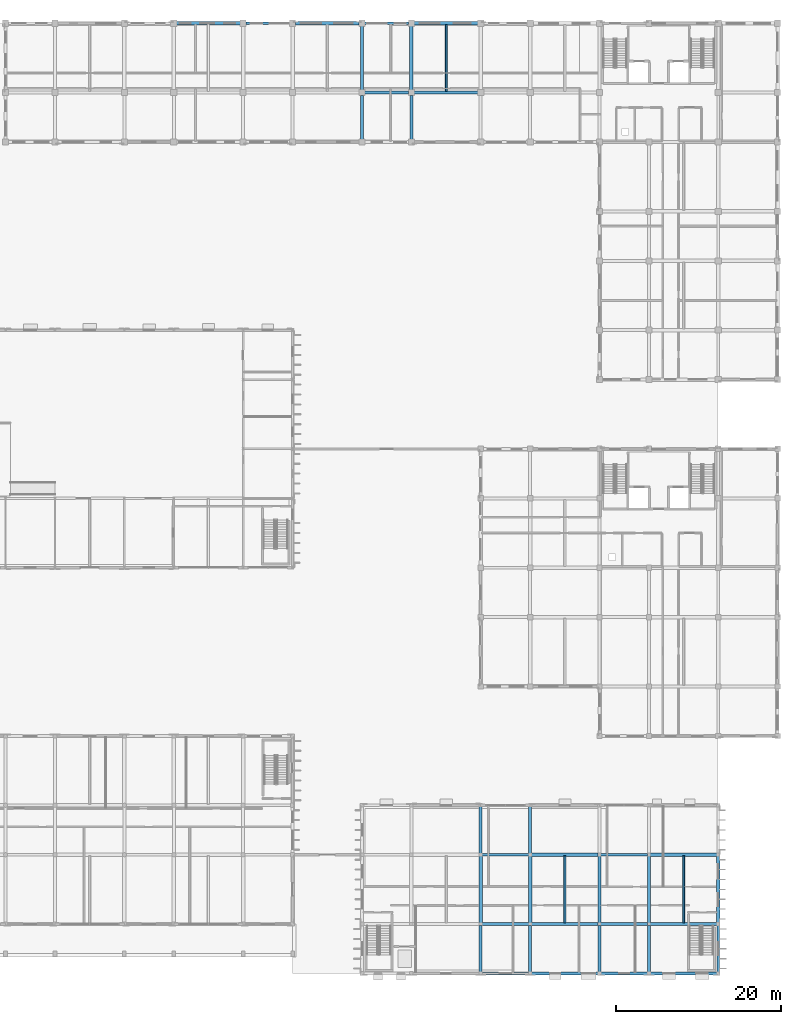
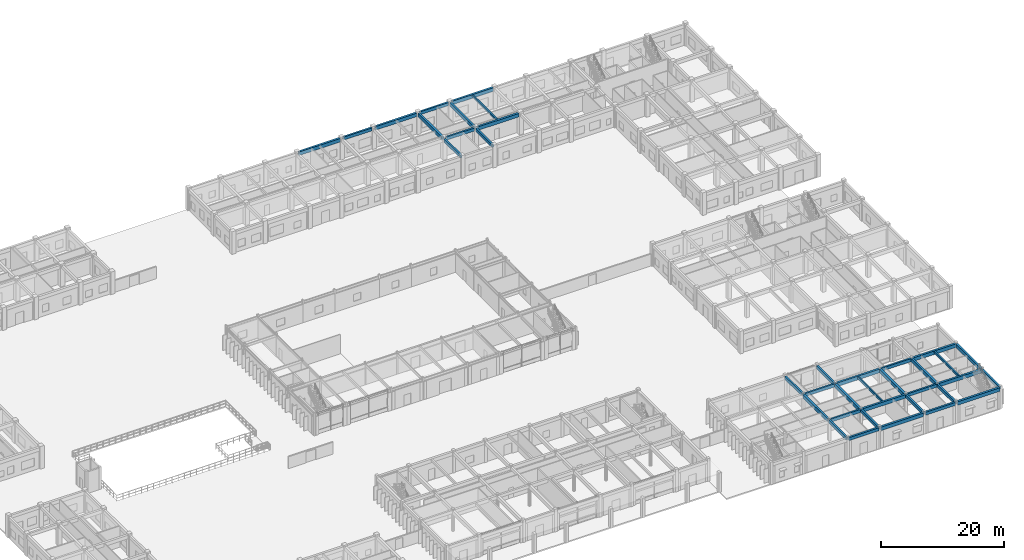
# One storey, part 20 of 67: 38 beams.
"""IFC4 building model written with IfcOpenShell, lengths in metres."""

import ifcopenshell
import ifcopenshell.guid

model = None  # the IFC model being written
_history = None  # IfcOwnerHistory: only IFC2X3 demands one
_inside = {}  # id of a spatial element -> (the spatial element, [elements in it])
_under = {}  # id of a project, library or spatial element -> (it, [spatial elements below it])
_declared = {}  # id of a project -> (the project, [libraries it declares])
_typed = {}  # id of a type object -> (the type object, [elements of that type])
_made_of = {}  # id of a material, layer set ... -> (it, [elements and type objects made of it])


def new_model(schema):
    """Start an empty IFC model of exactly this schema.

    Asked for "IFC4X3", IfcOpenShell would pick the latest addendum, in which some entities
    have other attributes; the version numbers below select the first issue.
    IFC2X3 requires an IfcOwnerHistory on every rooted entity: one is made here for all.
    """
    global model, _history
    if schema == "IFC4X3":
        model = ifcopenshell.file(schema_version=(4, 3, 0, 0))
    else:
        model = ifcopenshell.file(schema=schema)
    _inside.clear()
    _under.clear()
    _declared.clear()
    _typed.clear()
    _made_of.clear()
    _history = None
    if model.schema == "IFC2X3":
        org = make("IfcOrganization", Name="unknown")
        user = make(
            "IfcPersonAndOrganization",
            ThePerson=make("IfcPerson", FamilyName="unknown"),
            TheOrganization=org,
        )
        app = make(
            "IfcApplication",
            ApplicationDeveloper=org,
            Version="unknown",
            ApplicationFullName="unknown",
            ApplicationIdentifier="unknown",
        )
        _history = make(
            "IfcOwnerHistory",
            OwningUser=user,
            OwningApplication=app,
            ChangeAction="ADDED",
            CreationDate=0,
        )
    return model


def make(cls, **values):
    """One entity of the class cls with the attributes given. An attribute that is None is left unset."""
    return model.create_entity(
        cls, **{name: value for name, value in values.items() if value is not None}
    )


def rooted(cls, **values):
    """An entity with a GlobalId (a new one), such as an element, a storey or a relation."""
    return make(cls, GlobalId=ifcopenshell.guid.new(), OwnerHistory=_history, **values)


def si_unit(unit_type, name, prefix=None):
    """IfcSIUnit, for example si_unit("LENGTHUNIT", "METRE", prefix="MILLI")."""
    return make("IfcSIUnit", UnitType=unit_type, Prefix=prefix, Name=name)


def assignment(units):
    """IfcUnitAssignment: the units of a project."""
    return None if units is None else make("IfcUnitAssignment", Units=units)


def point(xyz):
    """IfcCartesianPoint."""
    return None if xyz is None else make("IfcCartesianPoint", Coordinates=xyz)


def direction(xyz):
    """IfcDirection."""
    return None if xyz is None else make("IfcDirection", DirectionRatios=xyz)


def frame(location, z_axis=None, x_axis=None):
    """IfcAxis2Placement3D, a coordinate frame: its origin and axes. An axis left out is left unset."""
    return make(
        "IfcAxis2Placement3D",
        Location=point(location),
        Axis=direction(z_axis),
        RefDirection=direction(x_axis),
    )


def frame_2d(location, x_axis=None):
    """IfcAxis2Placement2D, a coordinate frame in the plane: its origin and x axis."""
    return make(
        "IfcAxis2Placement2D", Location=point(location), RefDirection=direction(x_axis)
    )


def origin():
    """The frame at (0, 0, 0) with its axes left unset."""
    return frame((0.0, 0.0, 0.0))


def origin_2d():
    """The frame at (0, 0) in the plane with its x axis left unset."""
    return frame_2d((0.0, 0.0))


def place(relative_to, where):
    """IfcLocalPlacement: puts the frame where relative to a parent placement (None: the world)."""
    return make(
        "IfcLocalPlacement", PlacementRelTo=relative_to, RelativePlacement=where
    )


def context(
    kind, dimensions, precision=None, world=None, true_north=None, identifier=None
):
    """IfcGeometricRepresentationContext, for example the 3D "Model" context."""
    return make(
        "IfcGeometricRepresentationContext",
        ContextIdentifier=identifier,
        ContextType=kind,
        CoordinateSpaceDimension=dimensions,
        Precision=precision,
        WorldCoordinateSystem=world,
        TrueNorth=true_north,
    )


def subcontext(parent, identifier, kind, view, scale=None):
    """IfcGeometricRepresentationSubContext, for example "Body" below "Model"."""
    return make(
        "IfcGeometricRepresentationSubContext",
        ContextIdentifier=identifier,
        ContextType=kind,
        ParentContext=parent,
        TargetScale=scale,
        TargetView=view,
    )


def project(units=None, contexts=None):
    """IfcProject with its units and contexts."""
    return rooted(
        "IfcProject",
        Name="project",
        RepresentationContexts=contexts,
        UnitsInContext=assignment(units),
    )


def spatial(cls, under=None, at=None, **own):
    """A site, building, storey or space (cls), placed at a placement, below another one or the project."""
    s = rooted(cls, ObjectPlacement=at, **own)
    if under is not None:
        _under.setdefault(under.id(), (under, []))[1].append(s)
    return s


def profile(cls, at=None, kind="AREA", **sizes):
    """A parametric profile (cls). Its sizes go by their IFC names, for example OverallWidth=200.0."""
    return make(cls, ProfileType=kind, Position=at, **sizes)


def rectangle(**sizes):
    """IfcRectangleProfileDef."""
    return profile("IfcRectangleProfileDef", **sizes)


def extrude(swept, where, along, depth):
    """IfcExtrudedAreaSolid: the profile swept, set in the frame where, extruded along a direction by depth."""
    return make(
        "IfcExtrudedAreaSolid",
        SweptArea=swept,
        Position=where,
        ExtrudedDirection=direction(along),
        Depth=depth,
    )


def shape(context_of_items, identifier, shape_type, items):
    """IfcShapeRepresentation: the items that make up one representation, for example the "Body"."""
    return make(
        "IfcShapeRepresentation",
        ContextOfItems=context_of_items,
        RepresentationIdentifier=identifier,
        RepresentationType=shape_type,
        Items=items,
    )


def material(Name=None, Category=None):
    """IfcMaterial."""
    return make("IfcMaterial", Name=Name, Category=Category)


def material_profile(
    of_material, cross_section, Name=None, Category=None, Priority=None
):
    """IfcMaterialProfile: a cross section and its material."""
    return make(
        "IfcMaterialProfile",
        Name=Name,
        Material=of_material,
        Profile=cross_section,
        Priority=Priority,
        Category=Category,
    )


def profile_set(profiles, Name=None, composite=None):
    """IfcMaterialProfileSet."""
    return make(
        "IfcMaterialProfileSet",
        Name=Name,
        MaterialProfiles=profiles,
        CompositeProfile=composite,
    )


def made_of(thing, what):
    """Note that an element or type object is made of a material, layer set ...; save() writes the relation."""
    if what is not None:
        _made_of.setdefault(what.id(), (what, []))[1].append(thing)
    return thing


def type_object(cls, material=None, **own):
    """A type object (cls), such as IfcWallType, which elements share."""
    return made_of(rooted(cls, **own), material)


def element(
    cls,
    number,
    at=None,
    inside=None,
    cuts=None,
    type_object=None,
    material=None,
    context=None,
    identifier="Body",
    shape_type=None,
    held_by="IfcProductDefinitionShape",
    body=None,
    shapes=None,
    **own,
):
    """One element of the class cls, such as IfcWall. Its Tag is "e" and its number.

    at: its placement. inside: the storey or other place that contains it. cuts: it is an
    opening in that element (IfcRelVoidsElement). A single representation is given by context,
    identifier, shape_type and body (its items); several are given by shapes. held_by: the class
    of the entity that holds the representations. save() writes the other relations.
    """
    e = rooted(cls, Tag="e%d" % number, ObjectPlacement=at, **own)
    if body is not None:
        shapes = [shape(context, identifier, shape_type, body)]
    if shapes is not None:
        e.Representation = make(held_by, Representations=shapes)
    if inside is not None:
        _inside.setdefault(inside.id(), (inside, []))[1].append(e)
    if cuts is not None:
        rooted(
            "IfcRelVoidsElement", RelatingBuildingElement=cuts, RelatedOpeningElement=e
        )
    if type_object is not None:
        _typed.setdefault(type_object.id(), (type_object, []))[1].append(e)
    return made_of(e, material)


def aggregate(whole, parts):
    """IfcRelAggregates: a whole, such as a stair, and the parts it consists of."""
    return rooted("IfcRelAggregates", RelatingObject=whole, RelatedObjects=parts)


def save(model, path):
    """Write the relations noted so far, then the file.

    IfcRelAggregates (storeys below a building ...), IfcRelContainedInSpatialStructure (elements
    in a storey), IfcRelDefinesByType, IfcRelAssociatesMaterial and IfcRelDeclares: one each for
    every whole, place, type object, material and project.
    """
    for whole, parts in _under.values():
        aggregate(whole, parts)
    for where, things in _inside.values():
        rooted(
            "IfcRelContainedInSpatialStructure",
            RelatedElements=things,
            RelatingStructure=where,
        )
    for kind, things in _typed.values():
        rooted("IfcRelDefinesByType", RelatedObjects=things, RelatingType=kind)
    for what, things in _made_of.values():
        rooted("IfcRelAssociatesMaterial", RelatedObjects=things, RelatingMaterial=what)
    for by, libraries in _declared.values():
        rooted("IfcRelDeclares", RelatingContext=by, RelatedDefinitions=libraries)
    model.write(path)


model = new_model("IFC4")

# Units and contexts
model_context = context("Model", 3, precision=1e-05, world=origin(), true_north=direction((0.0, 1.0)))
body_context = subcontext(model_context, "Body", "Model", "MODEL_VIEW")
ifc_project = project(units=[si_unit("LENGTHUNIT", "METRE"), si_unit("AREAUNIT", "SQUARE_METRE"), si_unit("VOLUMEUNIT", "CUBIC_METRE"), si_unit("PLANEANGLEUNIT", "RADIAN"), si_unit("MASSUNIT", "GRAM", prefix="KILO"), si_unit("THERMODYNAMICTEMPERATUREUNIT", "KELVIN")], contexts=[model_context])

# Site, building, storey
site_placement = place(None, origin())
site = spatial("IfcSite", under=ifc_project, at=site_placement, CompositionType="ELEMENT")
building_placement = place(site_placement, origin())
building = spatial("IfcBuilding", under=site, at=building_placement, Name="Thalorik Housing Commons", CompositionType="ELEMENT")
storey_placement = place(building_placement, origin())
storey = spatial("IfcBuildingStorey", under=building, at=storey_placement, Name="L00", CompositionType="ELEMENT", Elevation=0.0)

# Beams
ifc_material = material(Name="Precast concrete C40/50", Category="concrete")
ifc_material_profile_1 = material_profile(ifc_material, rectangle(XDim=0.35009765625, YDim=0.60009765625, at=origin_2d()), Name="PC 350x600", Category="concrete")
ifc_profile_set_1 = profile_set([ifc_material_profile_1], Name="Precast concrete C40/50")
beam_type_1 = type_object("IfcBeamType", Name="STR-BM-PC350x600", PredefinedType="BEAM", material=ifc_profile_set_1)
beam_1_placement = place(storey_placement, frame((138.175048828125, 8.39990234375, 3.89990234375), z_axis=(1.0, 0.0, 0.0), x_axis=(0.0, 1.0, 0.0)))
element("IfcBeam", 1, at=beam_1_placement, inside=storey, type_object=beam_type_1, Name="L00 Beam B-600", PredefinedType="BEAM", context=body_context, shape_type="SweptSolid", body=[
    extrude(rectangle(XDim=0.35009765625, YDim=0.60009765625, at=origin_2d()), origin(), (0.0, 0.0, 1.0), 5.64990234375),
])
beam_2_placement = place(storey_placement, frame((152.574951171875, 8.39990234375, 3.89990234375), z_axis=(1.0, 0.0, 0.0), x_axis=(0.0, 1.0, 0.0)))
element("IfcBeam", 2, at=beam_2_placement, inside=storey, type_object=beam_type_1, Name="L00 Beam B-600", PredefinedType="BEAM", context=body_context, shape_type="SweptSolid", body=[
    extrude(rectangle(XDim=0.35009765625, YDim=0.60009765625, at=origin_2d()), origin(), (0.0, 0.0, 1.0), 5.650146484375),
])
beam_3_placement = place(storey_placement, frame((138.14990234375, 14.39990234375, 3.89990234375), z_axis=(1.0, 0.0, 0.0), x_axis=(0.0, 1.0, 0.0)))
element("IfcBeam", 3, at=beam_3_placement, inside=storey, type_object=beam_type_1, Name="L00 Beam B-600", PredefinedType="BEAM", context=body_context, shape_type="SweptSolid", body=[
    extrude(rectangle(XDim=0.35009765625, YDim=0.60009765625, at=origin_2d()), origin(), (0.0, 0.0, 1.0), 5.7001953125),
])
beam_4_placement = place(storey_placement, frame((152.550048828125, 14.39990234375, 3.89990234375), z_axis=(1.0, 0.0, 0.0), x_axis=(0.0, 1.0, 0.0)))
element("IfcBeam", 4, at=beam_4_placement, inside=storey, type_object=beam_type_1, Name="L00 Beam B-600", PredefinedType="BEAM", context=body_context, shape_type="SweptSolid", body=[
    extrude(rectangle(XDim=0.35009765625, YDim=0.60009765625, at=origin_2d()), origin(), (0.0, 0.0, 1.0), 5.699951171875),
])
beam_5_placement = place(storey_placement, frame((138.14990234375, 22.800048828125, 3.89990234375), z_axis=(1.0, 0.0, 0.0), x_axis=(0.0, 1.0, 0.0)))
element("IfcBeam", 5, at=beam_5_placement, inside=storey, type_object=beam_type_1, Name="L00 Beam B-600", PredefinedType="BEAM", context=body_context, shape_type="SweptSolid", body=[
    extrude(rectangle(XDim=0.35009765625, YDim=0.60009765625, at=origin_2d()), origin(), (0.0, 0.0, 1.0), 5.7001953125),
])
beam_6_placement = place(storey_placement, frame((152.550048828125, 22.800048828125, 3.89990234375), z_axis=(1.0, 0.0, 0.0), x_axis=(0.0, 1.0, 0.0)))
element("IfcBeam", 6, at=beam_6_placement, inside=storey, type_object=beam_type_1, Name="L00 Beam B-600", PredefinedType="BEAM", context=body_context, shape_type="SweptSolid", body=[
    extrude(rectangle(XDim=0.35009765625, YDim=0.60009765625, at=origin_2d()), origin(), (0.0, 0.0, 1.0), 5.699951171875),
])
beam_7_placement = place(storey_placement, frame((123.925048828125, 115.199951171875, 3.89990234375), z_axis=(1.0, 0.0, 0.0), x_axis=(0.0, 1.0, 0.0)))
element("IfcBeam", 7, at=beam_7_placement, inside=storey, type_object=beam_type_1, Name="L00 Beam B-600", PredefinedType="BEAM", context=body_context, shape_type="SweptSolid", body=[
    extrude(rectangle(XDim=0.35009765625, YDim=0.60009765625, at=origin_2d()), origin(), (0.0, 0.0, 1.0), 5.349853515625),
])
beam_8_placement = place(storey_placement, frame((109.52490234375, 123.60009765625, 3.89990234375), z_axis=(1.0, 0.0, 0.0), x_axis=(0.0, 1.0, 0.0)))
element("IfcBeam", 8, at=beam_8_placement, inside=storey, type_object=beam_type_1, Name="L00 Beam B-600", PredefinedType="BEAM", context=body_context, shape_type="SweptSolid", body=[
    extrude(rectangle(XDim=0.35009765625, YDim=0.60009765625, at=origin_2d()), origin(), (0.0, 0.0, 1.0), 5.35009765625),
])
beam_9_placement = place(storey_placement, frame((123.925048828125, 123.60009765625, 3.89990234375), z_axis=(1.0, 0.0, 0.0), x_axis=(0.0, 1.0, 0.0)))
element("IfcBeam", 9, at=beam_9_placement, inside=storey, type_object=beam_type_1, Name="L00 Beam B-600", PredefinedType="BEAM", context=body_context, shape_type="SweptSolid", body=[
    extrude(rectangle(XDim=0.35009765625, YDim=0.60009765625, at=origin_2d()), origin(), (0.0, 0.0, 1.0), 5.349853515625),
])
for number, where, z_axis, x_axis, name in (
    (10, (123.60009765625, 109.52490234375, 3.89990234375), (0.0, 1.0, 0.0), (-1.0, 0.0, 0.0), "L00 Beam B-600"),
    (11, (129.60009765625, 109.52490234375, 3.89990234375), (0.0, 1.0, 0.0), (-1.0, 0.0, 0.0), "L00 Beam B-600"),
):
    element("IfcBeam", number, at=place(storey_placement, frame(where, z_axis=z_axis, x_axis=x_axis)), inside=storey, type_object=beam_type_1, Name=name, PredefinedType="BEAM", context=body_context, shape_type="SweptSolid", body=[
        extrude(rectangle(XDim=0.35009765625, YDim=0.60009765625, at=origin_2d()), origin(), (0.0, 0.0, 1.0), 5.35009765625),
    ])
for number, where, z_axis, x_axis, name in (
    (12, (138.0, 8.574951171875, 3.89990234375), (0.0, 1.0, 0.0), (-1.0, 0.0, 0.0), "L00 Beam B-600"),
    (13, (138.0, 22.949951171875, 3.89990234375), (0.0, 1.0, 0.0), (-1.0, 0.0, 0.0), "L00 Beam B-600"),
    (14, (144.0, 8.574951171875, 3.89990234375), (0.0, 1.0, 0.0), (-1.0, 0.0, 0.0), "L00 Beam B-600"),
    (15, (144.0, 22.949951171875, 3.89990234375), (0.0, 1.0, 0.0), (-1.0, 0.0, 0.0), "L00 Beam B-600"),
    (16, (152.39990234375, 8.574951171875, 3.89990234375), (0.0, 1.0, 0.0), (-1.0, 0.0, 0.0), "L00 Beam B-600"),
    (17, (158.39990234375, 8.574951171875, 3.89990234375), (0.0, 1.0, 0.0), (-1.0, 0.0, 0.0), "L00 Beam B-600"),
):
    element("IfcBeam", number, at=place(storey_placement, frame(where, z_axis=z_axis, x_axis=x_axis)), inside=storey, type_object=beam_type_1, Name=name, PredefinedType="BEAM", context=body_context, shape_type="SweptSolid", body=[
        extrude(rectangle(XDim=0.35009765625, YDim=0.60009765625, at=origin_2d()), origin(), (0.0, 0.0, 1.0), 5.675048828125),
    ])
beam_10_placement = place(storey_placement, frame((166.800048828125, 8.574951171875, 3.89990234375), z_axis=(0.0, 1.0, 0.0), x_axis=(-1.0, 0.0, 0.0)))
element("IfcBeam", 18, at=beam_10_placement, inside=storey, type_object=beam_type_1, Name="L00 Beam B-600", PredefinedType="BEAM", context=body_context, shape_type="SweptSolid", body=[
    extrude(rectangle(XDim=0.35009765625, YDim=0.60009765625, at=origin_2d()), origin(), (0.0, 0.0, 1.0), 5.650146484375),
])
ifc_material_profile_2 = material_profile(ifc_material, rectangle(XDim=0.39990234375, YDim=0.699951171875, at=origin_2d()), Name="PC 400x700", Category="concrete")
ifc_profile_set_2 = profile_set([ifc_material_profile_2], Name="Precast concrete C40/50")
beam_type_2 = type_object("IfcBeamType", Name="STR-BM-PC400x700", PredefinedType="BEAM", material=ifc_profile_set_2)
for number, where, z_axis, x_axis, name in (
    (19, (144.175048828125, 8.39990234375, 3.85009765625), (1.0, 0.0, 0.0), (0.0, 1.0, 0.0), "L00 Beam B-700"),
    (20, (158.574951171875, 8.39990234375, 3.85009765625), (1.0, 0.0, 0.0), (0.0, 1.0, 0.0), "L00 Beam B-700"),
):
    element("IfcBeam", number, at=place(storey_placement, frame(where, z_axis=z_axis, x_axis=x_axis)), inside=storey, type_object=beam_type_2, Name=name, PredefinedType="BEAM", context=body_context, shape_type="SweptSolid", body=[
        extrude(rectangle(XDim=0.39990234375, YDim=0.699951171875, at=origin_2d()), origin(), (0.0, 0.0, 1.0), 8.050048828125),
    ])
beam_11_placement = place(storey_placement, frame((144.14990234375, 14.39990234375, 3.85009765625), z_axis=(1.0, 0.0, 0.0), x_axis=(0.0, 1.0, 0.0)))
element("IfcBeam", 21, at=beam_11_placement, inside=storey, type_object=beam_type_2, Name="L00 Beam B-700", PredefinedType="BEAM", context=body_context, shape_type="SweptSolid", body=[
    extrude(rectangle(XDim=0.39990234375, YDim=0.699951171875, at=origin_2d()), origin(), (0.0, 0.0, 1.0), 8.10009765625),
])
beam_12_placement = place(storey_placement, frame((158.550048828125, 14.39990234375, 3.85009765625), z_axis=(1.0, 0.0, 0.0), x_axis=(0.0, 1.0, 0.0)))
element("IfcBeam", 22, at=beam_12_placement, inside=storey, type_object=beam_type_2, Name="L00 Beam B-700", PredefinedType="BEAM", context=body_context, shape_type="SweptSolid", body=[
    extrude(rectangle(XDim=0.39990234375, YDim=0.699951171875, at=origin_2d()), origin(), (0.0, 0.0, 1.0), 8.074951171875),
])
beam_13_placement = place(storey_placement, frame((144.14990234375, 22.800048828125, 3.85009765625), z_axis=(1.0, 0.0, 0.0), x_axis=(0.0, 1.0, 0.0)))
element("IfcBeam", 23, at=beam_13_placement, inside=storey, type_object=beam_type_2, Name="L00 Beam B-700", PredefinedType="BEAM", context=body_context, shape_type="SweptSolid", body=[
    extrude(rectangle(XDim=0.39990234375, YDim=0.699951171875, at=origin_2d()), origin(), (0.0, 0.0, 1.0), 8.10009765625),
])
beam_14_placement = place(storey_placement, frame((158.550048828125, 22.800048828125, 3.85009765625), z_axis=(1.0, 0.0, 0.0), x_axis=(0.0, 1.0, 0.0)))
element("IfcBeam", 24, at=beam_14_placement, inside=storey, type_object=beam_type_2, Name="L00 Beam B-700", PredefinedType="BEAM", context=body_context, shape_type="SweptSolid", body=[
    extrude(rectangle(XDim=0.39990234375, YDim=0.699951171875, at=origin_2d()), origin(), (0.0, 0.0, 1.0), 8.074951171875),
])
for number, where, z_axis, x_axis, name in (
    (25, (129.925048828125, 115.199951171875, 3.85009765625), (1.0, 0.0, 0.0), (0.0, 1.0, 0.0), "L00 Beam B-700"),
    (26, (101.125, 123.60009765625, 3.85009765625), (1.0, 0.0, 0.0), (0.0, 1.0, 0.0), "L00 Beam B-700"),
    (27, (115.52490234375, 123.60009765625, 3.85009765625), (1.0, 0.0, 0.0), (0.0, 1.0, 0.0), "L00 Beam B-700"),
    (28, (129.925048828125, 123.60009765625, 3.85009765625), (1.0, 0.0, 0.0), (0.0, 1.0, 0.0), "L00 Beam B-700"),
    (29, (123.60009765625, 115.52490234375, 3.85009765625), (0.0, 1.0, 0.0), (-1.0, 0.0, 0.0), "L00 Beam B-700"),
    (30, (129.60009765625, 115.52490234375, 3.85009765625), (0.0, 1.0, 0.0), (-1.0, 0.0, 0.0), "L00 Beam B-700"),
):
    element("IfcBeam", number, at=place(storey_placement, frame(where, z_axis=z_axis, x_axis=x_axis)), inside=storey, type_object=beam_type_2, Name=name, PredefinedType="BEAM", context=body_context, shape_type="SweptSolid", body=[
        extrude(rectangle(XDim=0.39990234375, YDim=0.699951171875, at=origin_2d()), origin(), (0.0, 0.0, 1.0), 7.75),
    ])
for number, where, z_axis, x_axis, name in (
    (31, (138.0, 14.550048828125, 3.85009765625), (0.0, 1.0, 0.0), (-1.0, 0.0, 0.0), "L00 Beam B-700"),
    (32, (144.0, 14.550048828125, 3.85009765625), (0.0, 1.0, 0.0), (-1.0, 0.0, 0.0), "L00 Beam B-700"),
    (33, (152.39990234375, 14.550048828125, 3.85009765625), (0.0, 1.0, 0.0), (-1.0, 0.0, 0.0), "L00 Beam B-700"),
    (34, (158.39990234375, 14.550048828125, 3.85009765625), (0.0, 1.0, 0.0), (-1.0, 0.0, 0.0), "L00 Beam B-700"),
):
    element("IfcBeam", number, at=place(storey_placement, frame(where, z_axis=z_axis, x_axis=x_axis)), inside=storey, type_object=beam_type_2, Name=name, PredefinedType="BEAM", context=body_context, shape_type="SweptSolid", body=[
        extrude(rectangle(XDim=0.39990234375, YDim=0.699951171875, at=origin_2d()), origin(), (0.0, 0.0, 1.0), 8.099853515625),
    ])
beam_15_placement = place(storey_placement, frame((166.800048828125, 14.574951171875, 3.85009765625), z_axis=(0.0, 1.0, 0.0), x_axis=(-1.0, 0.0, 0.0)))
element("IfcBeam", 35, at=beam_15_placement, inside=storey, type_object=beam_type_2, Name="L00 Beam B-700", PredefinedType="BEAM", context=body_context, shape_type="SweptSolid", body=[
    extrude(rectangle(XDim=0.39990234375, YDim=0.699951171875, at=origin_2d()), origin(), (0.0, 0.0, 1.0), 8.050048828125),
])
ifc_material_profile_3 = material_profile(ifc_material, rectangle(XDim=0.239990234375, YDim=0.43994140625, at=origin_2d()), Name="PC JST 240x440", Category="concrete")
ifc_profile_set_3 = profile_set([ifc_material_profile_3], Name="Precast concrete C40/50")
beam_type_3 = type_object("IfcBeamType", Name="STR-JST-PC240x440", PredefinedType="JOIST", material=ifc_profile_set_3)
for number, where, z_axis, x_axis, name in (
    (36, (148.199951171875, 14.550048828125, 3.97998046875), (0.0, 1.0, 0.0), (-1.0, 0.0, 0.0), "L00 Beam J-440"),
    (37, (133.800048828125, 115.35009765625, 3.97998046875), (0.0, 1.0, 0.0), (-1.0, 0.0, 0.0), "L00 Beam J-440"),
    (38, (162.60009765625, 14.550048828125, 3.97998046875), (0.0, 1.0, 0.0), (-1.0, 0.0, 0.0), "L00 Beam J-440"),
):
    element("IfcBeam", number, at=place(storey_placement, frame(where, z_axis=z_axis, x_axis=x_axis)), inside=storey, type_object=beam_type_3, Name=name, PredefinedType="JOIST", context=body_context, shape_type="SweptSolid", body=[
        extrude(rectangle(XDim=0.239990234375, YDim=0.43994140625, at=origin_2d()), origin(), (0.0, 0.0, 1.0), 8.099853515625),
    ])

save(model, "model.ifc")
